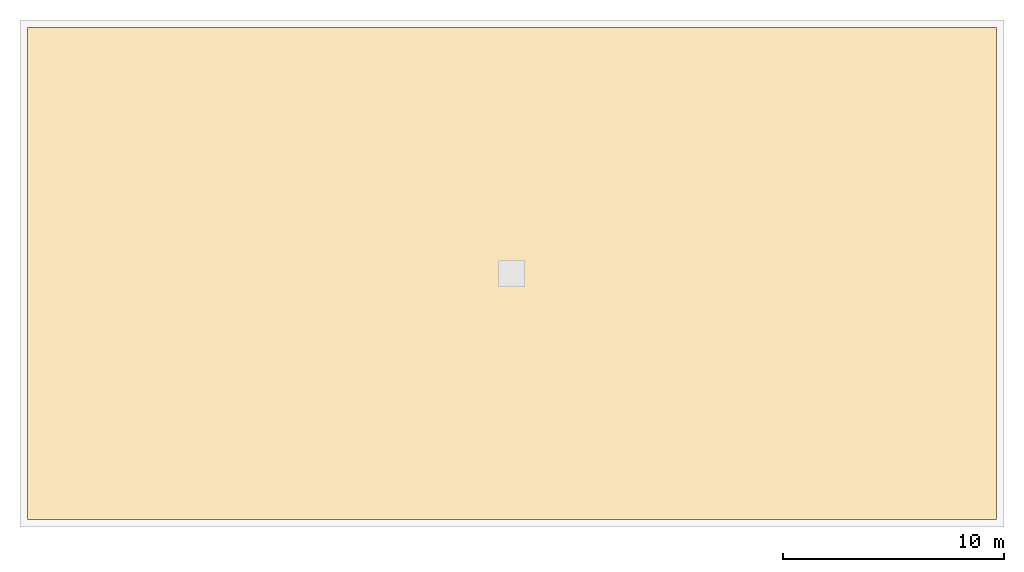
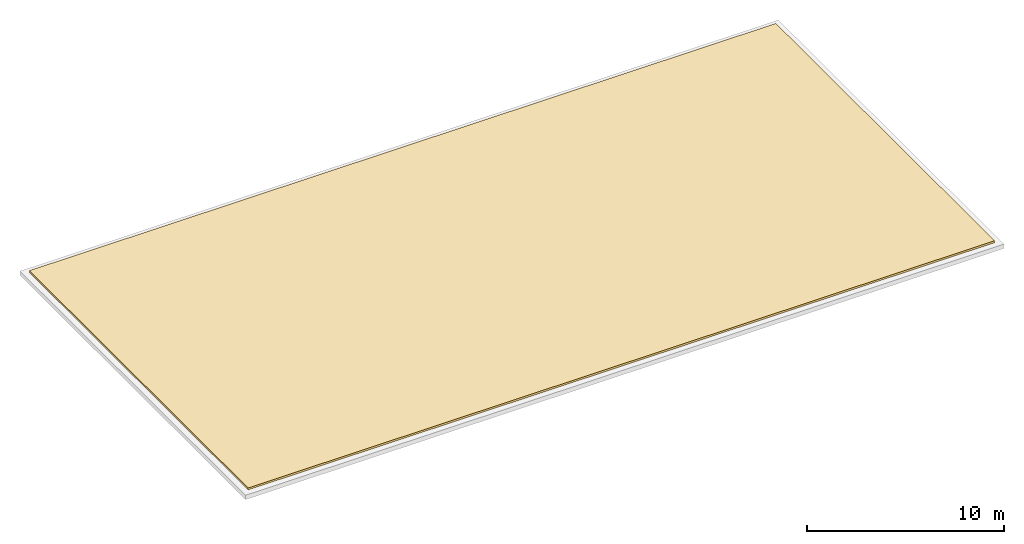
# One storey, part 2 of 2: 1 covering.
"""IFC4 building model written with IfcOpenShell, lengths in metres."""

from ifc_helpers import new_model, si_unit, direction, frame, origin, place, context, subcontext, project, spatial, polyline, outline, extrude, material, layer, layer_set, type_object, element, save


model = new_model("IFC4")

# Units and contexts
model_context = context("Model", 3, precision=1e-05, world=origin(), true_north=direction((0.0, 1.0)))
body_context = subcontext(model_context, "Body", "Model", "MODEL_VIEW")
ifc_project = project(units=[si_unit("LENGTHUNIT", "METRE"), si_unit("AREAUNIT", "SQUARE_METRE"), si_unit("VOLUMEUNIT", "CUBIC_METRE"), si_unit("PLANEANGLEUNIT", "RADIAN"), si_unit("MASSUNIT", "GRAM", prefix="KILO")], contexts=[model_context])

# Site, building, storey
site_placement = place(None, origin())
site = spatial("IfcSite", under=ifc_project, at=site_placement, CompositionType="ELEMENT")
building_placement = place(site_placement, origin())
building = spatial("IfcBuilding", under=site, at=building_placement, Name="Solenvale Faculty of Natural Sciences", CompositionType="ELEMENT")
storey_placement = place(building_placement, frame((0.0, 0.0, 56.39990234375)))
storey = spatial("IfcBuildingStorey", under=building, at=storey_placement, Name="ROOF", CompositionType="ELEMENT", Elevation=56.39990234375)

# Covering
ifc_material = material(Name="Planted green roof build-up")
ifc_layer = layer(ifc_material, 0.1201171875)
ifc_layer_set = layer_set([ifc_layer], Name="Planted green roof build-up")
covering_type = type_object("IfcCoveringType", Name="COV-ROOF-GREEN", PredefinedType="ROOFING", material=ifc_layer_set)
covering_placement = place(storey_placement, origin())
element("IfcCovering", 1, at=covering_placement, inside=storey, type_object=covering_type, Name="ROOF Roof Covering 9", PredefinedType="ROOFING", context=body_context, shape_type="SweptSolid", body=[
    extrude(outline(polyline([(144.330078125, 115.530029296875), (144.330078125, 93.27001953125), (100.469970703125, 93.27001953125), (100.469970703125, 115.530029296875), (144.330078125, 115.530029296875)])), origin(), (0.0, 0.0, 1.0), 0.1201171875),
])

save(model, "model.ifc")
